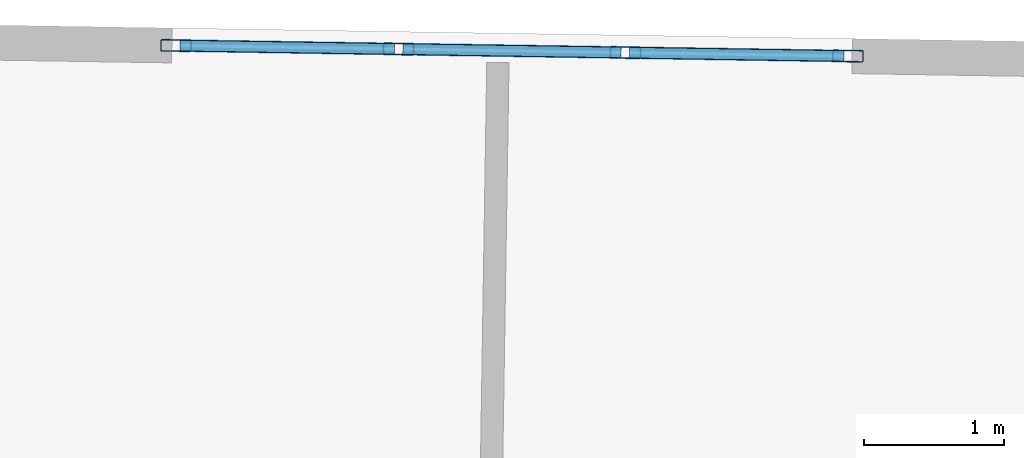
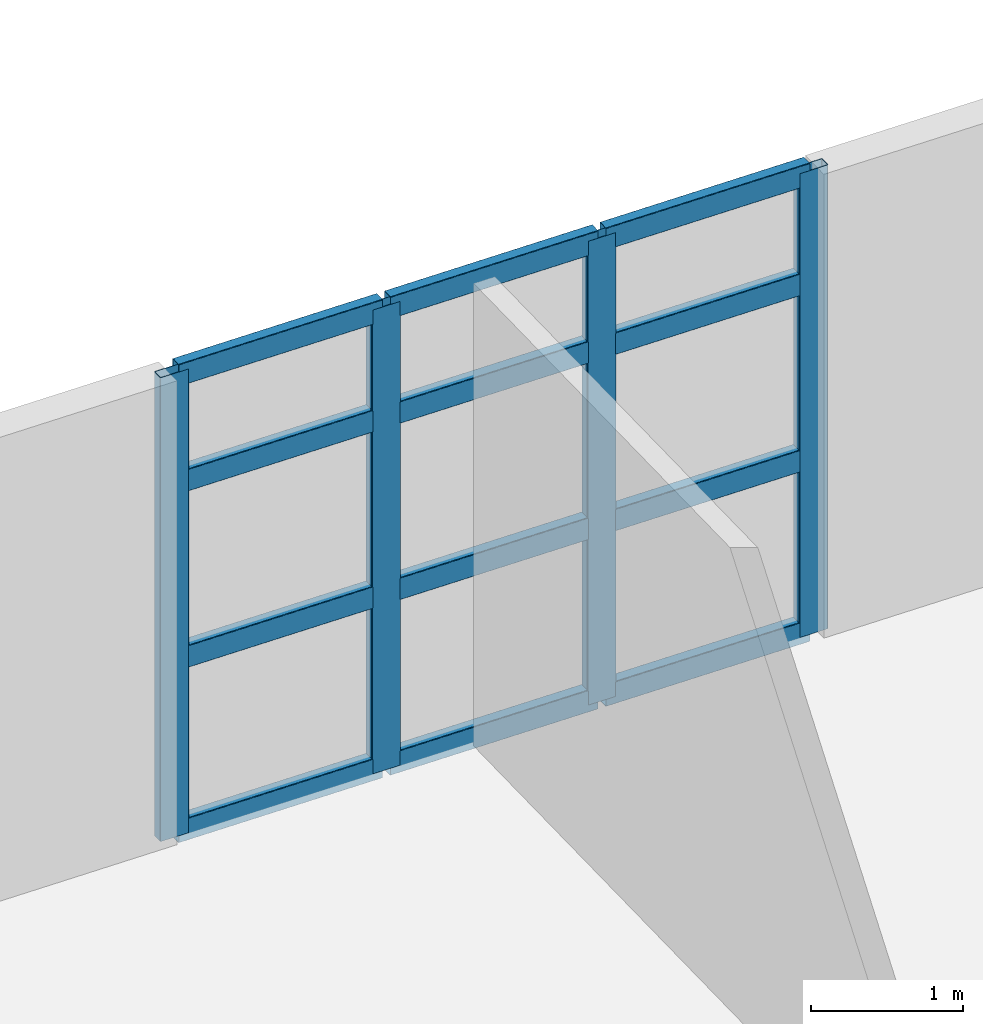
# One storey, part 8 of 15: 16 members, 1 element without a shape of its own.
"""IFC4 building model written with IfcOpenShell, lengths in metres."""

from ifc_helpers import new_model, si_unit, direction, frame, origin, origin_2d, place, context, subcontext, project, spatial, hollow_rectangle, extrude, material, layer, layer_set, material_profile, profile_set, type_object, element, aggregate, save


model = new_model("IFC4")

# Units and contexts
model_context = context("Model", 3, precision=1e-05, world=origin(), true_north=direction((0.0, 1.0)))
body_context = subcontext(model_context, "Body", "Model", "MODEL_VIEW")
ifc_project = project(units=[si_unit("LENGTHUNIT", "METRE"), si_unit("AREAUNIT", "SQUARE_METRE"), si_unit("VOLUMEUNIT", "CUBIC_METRE"), si_unit("PLANEANGLEUNIT", "RADIAN"), si_unit("MASSUNIT", "GRAM", prefix="KILO")], contexts=[model_context])

# Site, building, storey
site_placement = place(None, origin())
site = spatial("IfcSite", under=ifc_project, at=site_placement, CompositionType="ELEMENT")
building_placement = place(site_placement, origin())
building = spatial("IfcBuilding", under=site, at=building_placement, Name="Qingluan Cross Belvedere", CompositionType="ELEMENT")
storey_placement = place(building_placement, frame((0.0, 0.0, 312.89990234375)))
storey = spatial("IfcBuildingStorey", under=building, at=storey_placement, Name="L77", CompositionType="ELEMENT", Elevation=312.89990234375)

# Curtain wall, members
ifc_material_1 = material(Name="Thermally broken aluminium and Low-E glass", Category="aluminium")
ifc_layer = layer(ifc_material_1, 0.219970703125, Name="ObservationCW_BelvedereDeck")
ifc_layer_set = layer_set([ifc_layer], Name="Thermally broken aluminium and Low-E glass")
curtain_wall_type = type_object("IfcCurtainWallType", Name="ObservationCW_BelvedereDeck", PredefinedType="USERDEFINED", material=ifc_layer_set)
curtain_wall_placement = place(storey_placement, origin())
curtain_wall = element("IfcCurtainWall", 1, at=curtain_wall_placement, inside=storey, type_object=curtain_wall_type, Name="ObservationCW_BelvedereDeck run env:cw:L77:N", ObjectType="OBSERVATION GLAZING WALL", PredefinedType="USERDEFINED")
ifc_material_2 = material(Name="Aluminium alloy 6063-T6", Category="aluminium")
ifc_material_profile_1 = material_profile(ifc_material_2, hollow_rectangle(XDim=0.0849609375, YDim=0.219970703125, WallThickness=0.0048828125, InnerFilletRadius=0.0048828125, OuterFilletRadius=0.010009765625, at=origin_2d()), Name="CWM220x85x5")
ifc_profile_set_1 = profile_set([ifc_material_profile_1], Name="Aluminium alloy 6063-T6")
member_type_1 = type_object("IfcMemberType", Name="CWMullion_220", PredefinedType="MULLION", material=ifc_profile_set_1)
member_1_placement = place(storey_placement, frame((2.724609375, 20.1396484375, 0.0), z_axis=(0.0, 0.0, 1.0), x_axis=(-0.015709592504, -0.999876596737, 0.0)))
member_1 = element("IfcMember", 2, at=member_1_placement, type_object=member_type_1, Name="CW-C3 mullion 1", PredefinedType="MULLION", context=body_context, shape_type="SweptSolid", body=[
    extrude(hollow_rectangle(XDim=0.0849609375, YDim=0.219970703125, WallThickness=0.0048828125, InnerFilletRadius=0.0048828125, OuterFilletRadius=0.010009765625, at=origin_2d()), origin(), (0.0, 0.0, 1.0), 3.72998046875),
])
member_2_placement = place(storey_placement, frame((1.12939453125, 20.164794921875, 0.0), z_axis=(0.0, 0.0, 1.0), x_axis=(-0.015709592504, -0.999876596737, 0.0)))
member_2 = element("IfcMember", 3, at=member_2_placement, type_object=member_type_1, Name="CW-C3 mullion 2", PredefinedType="MULLION", context=body_context, shape_type="SweptSolid", body=[
    extrude(hollow_rectangle(XDim=0.0849609375, YDim=0.219970703125, WallThickness=0.0048828125, InnerFilletRadius=0.0048828125, OuterFilletRadius=0.010009765625, at=origin_2d()), origin(), (0.0, 0.0, 1.0), 3.72998046875),
])
member_3_placement = place(storey_placement, frame((-0.49560546875, 20.190185546875, 0.0), z_axis=(0.0, 0.0, 1.0), x_axis=(-0.015709592504, -0.999876596737, 0.0)))
member_3 = element("IfcMember", 4, at=member_3_placement, type_object=member_type_1, Name="CW-C3 mullion 3", PredefinedType="MULLION", context=body_context, shape_type="SweptSolid", body=[
    extrude(hollow_rectangle(XDim=0.0849609375, YDim=0.219970703125, WallThickness=0.0048828125, InnerFilletRadius=0.0048828125, OuterFilletRadius=0.010009765625, at=origin_2d()), origin(), (0.0, 0.0, 1.0), 3.72998046875),
])
member_4_placement = place(storey_placement, frame((-2.0908203125, 20.21533203125, 0.0), z_axis=(0.0, 0.0, 1.0), x_axis=(-0.015709592504, -0.999876596737, 0.0)))
member_4 = element("IfcMember", 5, at=member_4_placement, type_object=member_type_1, Name="CW-C3 mullion 4", PredefinedType="MULLION", context=body_context, shape_type="SweptSolid", body=[
    extrude(hollow_rectangle(XDim=0.0849609375, YDim=0.219970703125, WallThickness=0.0048828125, InnerFilletRadius=0.0048828125, OuterFilletRadius=0.010009765625, at=origin_2d()), origin(), (0.0, 0.0, 1.0), 3.72998046875),
])
ifc_material_3 = material(Name="Aluminium alloy 6063-T6", Category="aluminium")
ifc_material_profile_2 = material_profile(ifc_material_3, hollow_rectangle(XDim=0.0849609375, YDim=0.179931640625, WallThickness=0.00390625, InnerFilletRadius=0.00390625, OuterFilletRadius=0.008056640625, at=origin_2d()), Name="CWT180x85x4")
ifc_profile_set_2 = profile_set([ifc_material_profile_2], Name="Aluminium alloy 6063-T6")
member_type_2 = type_object("IfcMemberType", Name="CWTransom_180", PredefinedType="USERDEFINED", material=ifc_profile_set_2)
member_5_placement = place(storey_placement, frame((2.694580078125, 20.14013671875, 0.030029296875), z_axis=(-0.999876081943, 0.015742323809, 0.0), x_axis=(-0.015742323809, -0.999876081943, 0.0)))
member_5 = element("IfcMember", 6, at=member_5_placement, type_object=member_type_2, Name="CW-C3 transom 1.1", ObjectType="TRANSOM", PredefinedType="USERDEFINED", context=body_context, shape_type="SweptSolid", body=[
    extrude(hollow_rectangle(XDim=0.0849609375, YDim=0.179931640625, WallThickness=0.00390625, InnerFilletRadius=0.00390625, OuterFilletRadius=0.008056640625, at=origin_2d()), origin(), (0.0, 0.0, 1.0), 1.535400390625),
])
member_6_placement = place(storey_placement, frame((2.694580078125, 20.14013671875, 1.4169921875), z_axis=(-0.999876081943, 0.015742323809, 0.0), x_axis=(-0.015742323809, -0.999876081943, 0.0)))
member_6 = element("IfcMember", 7, at=member_6_placement, type_object=member_type_2, Name="CW-C3 transom 1.2", ObjectType="TRANSOM", PredefinedType="USERDEFINED", context=body_context, shape_type="SweptSolid", body=[
    extrude(hollow_rectangle(XDim=0.0849609375, YDim=0.179931640625, WallThickness=0.00390625, InnerFilletRadius=0.00390625, OuterFilletRadius=0.008056640625, at=origin_2d()), origin(), (0.0, 0.0, 1.0), 1.535400390625),
])
member_7_placement = place(storey_placement, frame((2.694580078125, 20.14013671875, 2.835205078125), z_axis=(-0.999876081943, 0.015742323809, 0.0), x_axis=(-0.015742323809, -0.999876081943, 0.0)))
member_7 = element("IfcMember", 8, at=member_7_placement, type_object=member_type_2, Name="CW-C3 transom 1.3", ObjectType="TRANSOM", PredefinedType="USERDEFINED", context=body_context, shape_type="SweptSolid", body=[
    extrude(hollow_rectangle(XDim=0.0849609375, YDim=0.179931640625, WallThickness=0.00390625, InnerFilletRadius=0.00390625, OuterFilletRadius=0.008056640625, at=origin_2d()), origin(), (0.0, 0.0, 1.0), 1.535400390625),
])
member_8_placement = place(storey_placement, frame((2.694580078125, 20.14013671875, 3.7001953125), z_axis=(-0.999876081943, 0.015742323809, 0.0), x_axis=(-0.015742323809, -0.999876081943, 0.0)))
member_8 = element("IfcMember", 9, at=member_8_placement, type_object=member_type_2, Name="CW-C3 transom 1.4", ObjectType="TRANSOM", PredefinedType="USERDEFINED", context=body_context, shape_type="SweptSolid", body=[
    extrude(hollow_rectangle(XDim=0.0849609375, YDim=0.179931640625, WallThickness=0.00390625, InnerFilletRadius=0.00390625, OuterFilletRadius=0.008056640625, at=origin_2d()), origin(), (0.0, 0.0, 1.0), 1.535400390625),
])
member_9_placement = place(storey_placement, frame((1.099365234375, 20.165283203125, 0.030029296875), z_axis=(-0.999878332473, 0.015598725936, 0.0), x_axis=(-0.015598725936, -0.999878332473, 0.0)))
member_9 = element("IfcMember", 10, at=member_9_placement, type_object=member_type_2, Name="CW-C3 transom 2.1", ObjectType="TRANSOM", PredefinedType="USERDEFINED", context=body_context, shape_type="SweptSolid", body=[
    extrude(hollow_rectangle(XDim=0.0849609375, YDim=0.179931640625, WallThickness=0.00390625, InnerFilletRadius=0.00390625, OuterFilletRadius=0.008056640625, at=origin_2d()), origin(), (0.0, 0.0, 1.0), 1.565185546875),
])
member_10_placement = place(storey_placement, frame((1.099365234375, 20.165283203125, 1.4169921875), z_axis=(-0.999878332473, 0.015598725936, 0.0), x_axis=(-0.015598725936, -0.999878332473, 0.0)))
member_10 = element("IfcMember", 11, at=member_10_placement, type_object=member_type_2, Name="CW-C3 transom 2.2", ObjectType="TRANSOM", PredefinedType="USERDEFINED", context=body_context, shape_type="SweptSolid", body=[
    extrude(hollow_rectangle(XDim=0.0849609375, YDim=0.179931640625, WallThickness=0.00390625, InnerFilletRadius=0.00390625, OuterFilletRadius=0.008056640625, at=origin_2d()), origin(), (0.0, 0.0, 1.0), 1.565185546875),
])
member_11_placement = place(storey_placement, frame((1.099365234375, 20.165283203125, 2.835205078125), z_axis=(-0.999878332473, 0.015598725936, 0.0), x_axis=(-0.015598725936, -0.999878332473, 0.0)))
member_11 = element("IfcMember", 12, at=member_11_placement, type_object=member_type_2, Name="CW-C3 transom 2.3", ObjectType="TRANSOM", PredefinedType="USERDEFINED", context=body_context, shape_type="SweptSolid", body=[
    extrude(hollow_rectangle(XDim=0.0849609375, YDim=0.179931640625, WallThickness=0.00390625, InnerFilletRadius=0.00390625, OuterFilletRadius=0.008056640625, at=origin_2d()), origin(), (0.0, 0.0, 1.0), 1.565185546875),
])
member_12_placement = place(storey_placement, frame((1.099365234375, 20.165283203125, 3.7001953125), z_axis=(-0.999878332473, 0.015598725936, 0.0), x_axis=(-0.015598725936, -0.999878332473, 0.0)))
member_12 = element("IfcMember", 13, at=member_12_placement, type_object=member_type_2, Name="CW-C3 transom 2.4", ObjectType="TRANSOM", PredefinedType="USERDEFINED", context=body_context, shape_type="SweptSolid", body=[
    extrude(hollow_rectangle(XDim=0.0849609375, YDim=0.179931640625, WallThickness=0.00390625, InnerFilletRadius=0.00390625, OuterFilletRadius=0.008056640625, at=origin_2d()), origin(), (0.0, 0.0, 1.0), 1.565185546875),
])
member_13_placement = place(storey_placement, frame((-0.525634765625, 20.190673828125, 0.030029296875), z_axis=(-0.999876081943, 0.015742323809, 0.0), x_axis=(-0.015742323809, -0.999876081943, 0.0)))
member_13 = element("IfcMember", 14, at=member_13_placement, type_object=member_type_2, Name="CW-C3 transom 3.1", ObjectType="TRANSOM", PredefinedType="USERDEFINED", context=body_context, shape_type="SweptSolid", body=[
    extrude(hollow_rectangle(XDim=0.0849609375, YDim=0.179931640625, WallThickness=0.00390625, InnerFilletRadius=0.00390625, OuterFilletRadius=0.008056640625, at=origin_2d()), origin(), (0.0, 0.0, 1.0), 1.535400390625),
])
member_14_placement = place(storey_placement, frame((-0.525634765625, 20.190673828125, 1.4169921875), z_axis=(-0.999876081943, 0.015742323809, 0.0), x_axis=(-0.015742323809, -0.999876081943, 0.0)))
member_14 = element("IfcMember", 15, at=member_14_placement, type_object=member_type_2, Name="CW-C3 transom 3.2", ObjectType="TRANSOM", PredefinedType="USERDEFINED", context=body_context, shape_type="SweptSolid", body=[
    extrude(hollow_rectangle(XDim=0.0849609375, YDim=0.179931640625, WallThickness=0.00390625, InnerFilletRadius=0.00390625, OuterFilletRadius=0.008056640625, at=origin_2d()), origin(), (0.0, 0.0, 1.0), 1.535400390625),
])
member_15_placement = place(storey_placement, frame((-0.525634765625, 20.190673828125, 2.835205078125), z_axis=(-0.999876081943, 0.015742323809, 0.0), x_axis=(-0.015742323809, -0.999876081943, 0.0)))
member_15 = element("IfcMember", 16, at=member_15_placement, type_object=member_type_2, Name="CW-C3 transom 3.3", ObjectType="TRANSOM", PredefinedType="USERDEFINED", context=body_context, shape_type="SweptSolid", body=[
    extrude(hollow_rectangle(XDim=0.0849609375, YDim=0.179931640625, WallThickness=0.00390625, InnerFilletRadius=0.00390625, OuterFilletRadius=0.008056640625, at=origin_2d()), origin(), (0.0, 0.0, 1.0), 1.535400390625),
])
member_16_placement = place(storey_placement, frame((-0.525634765625, 20.190673828125, 3.7001953125), z_axis=(-0.999876081943, 0.015742323809, 0.0), x_axis=(-0.015742323809, -0.999876081943, 0.0)))
member_16 = element("IfcMember", 17, at=member_16_placement, type_object=member_type_2, Name="CW-C3 transom 3.4", ObjectType="TRANSOM", PredefinedType="USERDEFINED", context=body_context, shape_type="SweptSolid", body=[
    extrude(hollow_rectangle(XDim=0.0849609375, YDim=0.179931640625, WallThickness=0.00390625, InnerFilletRadius=0.00390625, OuterFilletRadius=0.008056640625, at=origin_2d()), origin(), (0.0, 0.0, 1.0), 1.535400390625),
])
aggregate(curtain_wall, [member_1, member_2, member_3, member_4, member_5, member_6, member_7, member_8, member_9, member_10, member_11, member_12, member_13, member_14, member_15, member_16])

save(model, "model.ifc")
